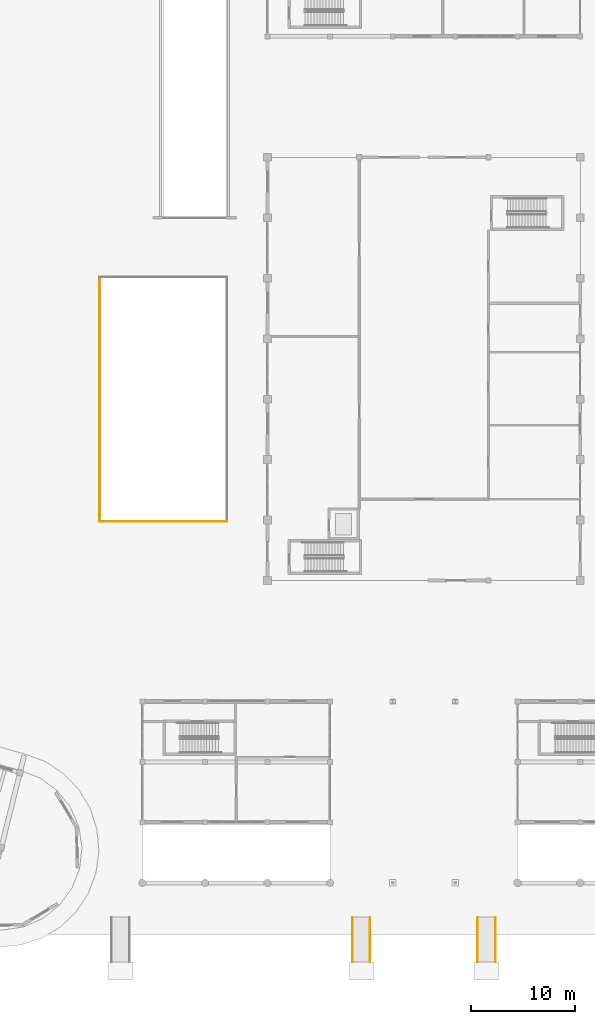
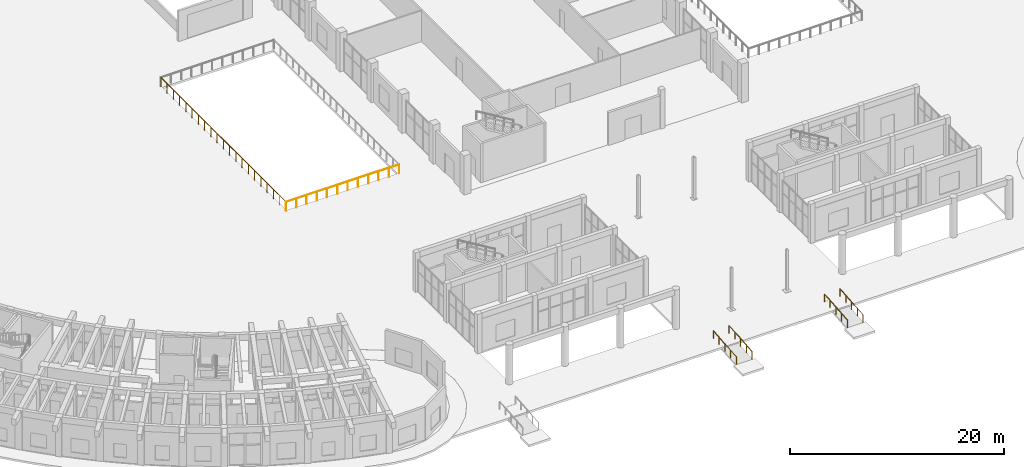
# One storey, part 116 of 132: 6 railings.
"""IFC4 building model written with IfcOpenShell, lengths in metres."""

from ifc_helpers import new_model, si_unit, direction, frame, origin, origin_2d, place, context, subcontext, project, spatial, circle, extrude, material, type_object, element, save


model = new_model("IFC4")

# Units and contexts
model_context = context("Model", 3, precision=1e-05, world=origin(), true_north=direction((0.0, 1.0)))
body_context = subcontext(model_context, "Body", "Model", "MODEL_VIEW")
ifc_project = project(units=[si_unit("LENGTHUNIT", "METRE"), si_unit("AREAUNIT", "SQUARE_METRE"), si_unit("VOLUMEUNIT", "CUBIC_METRE"), si_unit("PLANEANGLEUNIT", "RADIAN"), si_unit("MASSUNIT", "GRAM", prefix="KILO")], contexts=[model_context])

# Site, building, storey
site_placement = place(None, origin())
site = spatial("IfcSite", under=ifc_project, at=site_placement, CompositionType="ELEMENT")
building_placement = place(site_placement, origin())
building = spatial("IfcBuilding", under=site, at=building_placement, Name="Tanwirah Colonnade Gardens", CompositionType="ELEMENT")
storey_placement = place(building_placement, origin())
storey = spatial("IfcBuildingStorey", under=building, at=storey_placement, Name="L00", CompositionType="ELEMENT", Elevation=0.0)

# Railings
ifc_material_1 = material(Name="Powder-coated galvanized steel", Category="steel")
railing_type_1 = type_object("IfcRailingType", Name="GRD-ST110", PredefinedType="GUARDRAIL", material=ifc_material_1)
railing_1_placement = place(storey_placement, frame((61.8798828125, 45.47998046875, 0.0)))
element("IfcRailing", 1, at=railing_1_placement, inside=storey, type_object=railing_type_1, Name="Courtyard Sunken Garden Perimeter Guard 1.1", PredefinedType="GUARDRAIL", context=body_context, shape_type="SweptSolid", body=[
    extrude(circle(Radius=0.02392578125, at=origin_2d()), frame((0.03125, 0.0, 1.076171875), z_axis=(1.0, 0.0, 0.0), x_axis=(0.0, 1.0, 0.0)), (0.0, 0.0, 1.0), 12.177734375),
    extrude(circle(Radius=0.02099609375, at=origin_2d()), origin(), (0.0, 0.0, 1.0), 1.049072265625),
    extrude(circle(Radius=0.02099609375, at=origin_2d()), frame((1.11279296875, 0.0, 0.0)), (0.0, 0.0, 1.0), 1.049072265625),
    extrude(circle(Radius=0.02099609375, at=origin_2d()), frame((2.2255859375, 0.0, 0.0)), (0.0, 0.0, 1.0), 1.049072265625),
    extrude(circle(Radius=0.02099609375, at=origin_2d()), frame((3.338134765625, 0.0, 0.0)), (0.0, 0.0, 1.0), 1.049072265625),
    extrude(circle(Radius=0.02099609375, at=origin_2d()), frame((4.450927734375, 0.0, 0.0)), (0.0, 0.0, 1.0), 1.049072265625),
    extrude(circle(Radius=0.02099609375, at=origin_2d()), frame((5.563720703125, 0.0, 0.0)), (0.0, 0.0, 1.0), 1.049072265625),
    extrude(circle(Radius=0.02099609375, at=origin_2d()), frame((6.676513671875, 0.0, 0.0)), (0.0, 0.0, 1.0), 1.049072265625),
    extrude(circle(Radius=0.02099609375, at=origin_2d()), frame((7.789306640625, 0.0, 0.0)), (0.0, 0.0, 1.0), 1.049072265625),
    extrude(circle(Radius=0.02099609375, at=origin_2d()), frame((8.902099609375, 0.0, 0.0)), (0.0, 0.0, 1.0), 1.049072265625),
    extrude(circle(Radius=0.02099609375, at=origin_2d()), frame((10.0146484375, 0.0, 0.0)), (0.0, 0.0, 1.0), 1.049072265625),
    extrude(circle(Radius=0.02099609375, at=origin_2d()), frame((11.12744140625, 0.0, 0.0)), (0.0, 0.0, 1.0), 1.049072265625),
    extrude(circle(Radius=0.02099609375, at=origin_2d()), frame((12.240234375, 0.0, 0.0)), (0.0, 0.0, 1.0), 1.049072265625),
])
railing_2_placement = place(storey_placement, frame((61.8798828125, 68.919921875, 0.0)))
element("IfcRailing", 2, at=railing_2_placement, inside=storey, type_object=railing_type_1, Name="Courtyard Sunken Garden Perimeter Guard 1.4", PredefinedType="GUARDRAIL", context=body_context, shape_type="SweptSolid", body=[
    extrude(circle(Radius=0.02392578125, at=origin_2d()), frame((0.0, -0.03125, 1.076171875), z_axis=(0.0, -1.0, 0.0), x_axis=(1.0, 0.0, 0.0)), (0.0, 0.0, 1.0), 23.37744140625),
    extrude(circle(Radius=0.02099609375, at=origin_2d()), origin(), (0.0, 0.0, 1.0), 1.049072265625),
    extrude(circle(Radius=0.02099609375, at=origin_2d()), frame((0.0, -1.171875, 0.0)), (0.0, 0.0, 1.0), 1.049072265625),
    extrude(circle(Radius=0.02099609375, at=origin_2d()), frame((0.0, -2.343994140625, 0.0)), (0.0, 0.0, 1.0), 1.049072265625),
    extrude(circle(Radius=0.02099609375, at=origin_2d()), frame((0.0, -3.51611328125, 0.0)), (0.0, 0.0, 1.0), 1.049072265625),
    extrude(circle(Radius=0.02099609375, at=origin_2d()), frame((0.0, -4.68798828125, 0.0)), (0.0, 0.0, 1.0), 1.049072265625),
    extrude(circle(Radius=0.02099609375, at=origin_2d()), frame((0.0, -5.85986328125, 0.0)), (0.0, 0.0, 1.0), 1.049072265625),
    extrude(circle(Radius=0.02099609375, at=origin_2d()), frame((0.0, -7.031982421875, 0.0)), (0.0, 0.0, 1.0), 1.049072265625),
    extrude(circle(Radius=0.02099609375, at=origin_2d()), frame((0.0, -8.2041015625, 0.0)), (0.0, 0.0, 1.0), 1.049072265625),
    extrude(circle(Radius=0.02099609375, at=origin_2d()), frame((0.0, -9.3759765625, 0.0)), (0.0, 0.0, 1.0), 1.049072265625),
    extrude(circle(Radius=0.02099609375, at=origin_2d()), frame((0.0, -10.5478515625, 0.0)), (0.0, 0.0, 1.0), 1.049072265625),
    extrude(circle(Radius=0.02099609375, at=origin_2d()), frame((0.0, -11.719970703125, 0.0)), (0.0, 0.0, 1.0), 1.049072265625),
    extrude(circle(Radius=0.02099609375, at=origin_2d()), frame((0.0, -12.89208984375, 0.0)), (0.0, 0.0, 1.0), 1.049072265625),
    extrude(circle(Radius=0.02099609375, at=origin_2d()), frame((0.0, -14.06396484375, 0.0)), (0.0, 0.0, 1.0), 1.049072265625),
    extrude(circle(Radius=0.02099609375, at=origin_2d()), frame((0.0, -15.23583984375, 0.0)), (0.0, 0.0, 1.0), 1.049072265625),
    extrude(circle(Radius=0.02099609375, at=origin_2d()), frame((0.0, -16.407958984375, 0.0)), (0.0, 0.0, 1.0), 1.049072265625),
    extrude(circle(Radius=0.02099609375, at=origin_2d()), frame((0.0, -17.580078125, 0.0)), (0.0, 0.0, 1.0), 1.049072265625),
    extrude(circle(Radius=0.02099609375, at=origin_2d()), frame((0.0, -18.751953125, 0.0)), (0.0, 0.0, 1.0), 1.049072265625),
    extrude(circle(Radius=0.02099609375, at=origin_2d()), frame((0.0, -19.923828125, 0.0)), (0.0, 0.0, 1.0), 1.049072265625),
    extrude(circle(Radius=0.02099609375, at=origin_2d()), frame((0.0, -21.095947265625, 0.0)), (0.0, 0.0, 1.0), 1.049072265625),
    extrude(circle(Radius=0.02099609375, at=origin_2d()), frame((0.0, -22.26806640625, 0.0)), (0.0, 0.0, 1.0), 1.049072265625),
    extrude(circle(Radius=0.02099609375, at=origin_2d()), frame((0.0, -23.43994140625, 0.0)), (0.0, 0.0, 1.0), 1.049072265625),
])
ifc_material_2 = material(Name="Brushed bronze stainless steel", Category="steel")
railing_type_2 = type_object("IfcRailingType", Name="HR-ST090", PredefinedType="HANDRAIL", material=ifc_material_2)
for number, where, name in (
    (3, (86.14990234375, 3.179931640625, -0.360107421875), "Accessible Ramp PED-CW Handrail L"),
    (4, (87.85009765625, 3.179931640625, -0.360107421875), "Accessible Ramp PED-CW Handrail R"),
    (5, (98.14990234375, 3.179931640625, -0.360107421875), "Accessible Ramp PED-CE Handrail L"),
    (6, (99.85009765625, 3.179931640625, -0.360107421875), "Accessible Ramp PED-CE Handrail R"),
):
    element("IfcRailing", number, at=place(storey_placement, frame(where)), inside=storey, type_object=railing_type_2, Name=name, PredefinedType="HANDRAIL", context=body_context, shape_type="SweptSolid", body=[
        extrude(circle(Radius=0.02392578125, at=origin_2d()), frame((0.0, 0.03125, 0.87841796875), z_axis=(0.0, 0.996543815979, 0.083068783756), x_axis=(-1.0, 0.0, 0.0)), (0.0, 0.0, 1.0), 4.2724609375),
        extrude(circle(Radius=0.02099609375, at=origin_2d()), origin(), (0.0, 0.0, 1.0), 0.848876953125),
        extrude(circle(Radius=0.02099609375, at=origin_2d()), frame((0.0, 1.080078125, 0.090087890625)), (0.0, 0.0, 1.0), 0.848876953125),
        extrude(circle(Radius=0.02099609375, at=origin_2d()), frame((0.0, 2.16015625, 0.18017578125)), (0.0, 0.0, 1.0), 0.848876953125),
        extrude(circle(Radius=0.02099609375, at=origin_2d()), frame((0.0, 3.239990234375, 0.27001953125)), (0.0, 0.0, 1.0), 0.848876953125),
        extrude(circle(Radius=0.02099609375, at=origin_2d()), frame((0.0, 4.320068359375, 0.360107421875)), (0.0, 0.0, 1.0), 0.848876953125),
    ])

save(model, "model.ifc")
